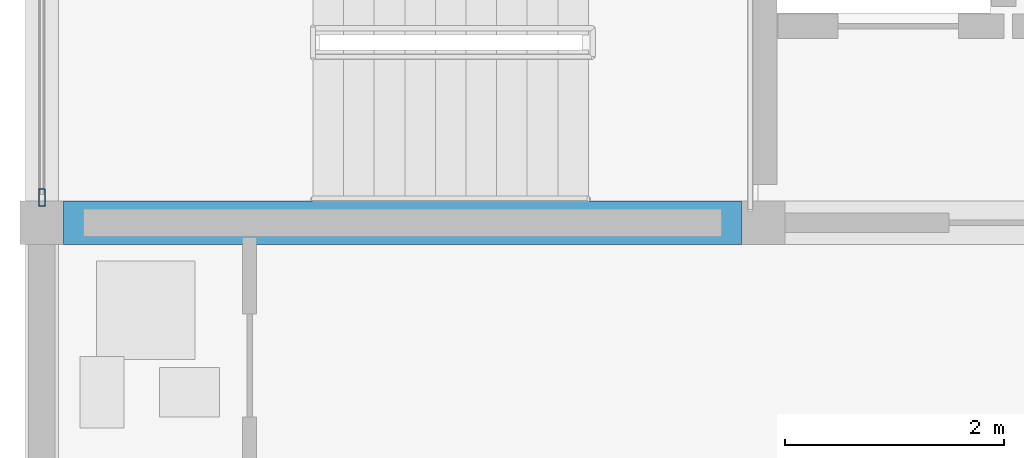
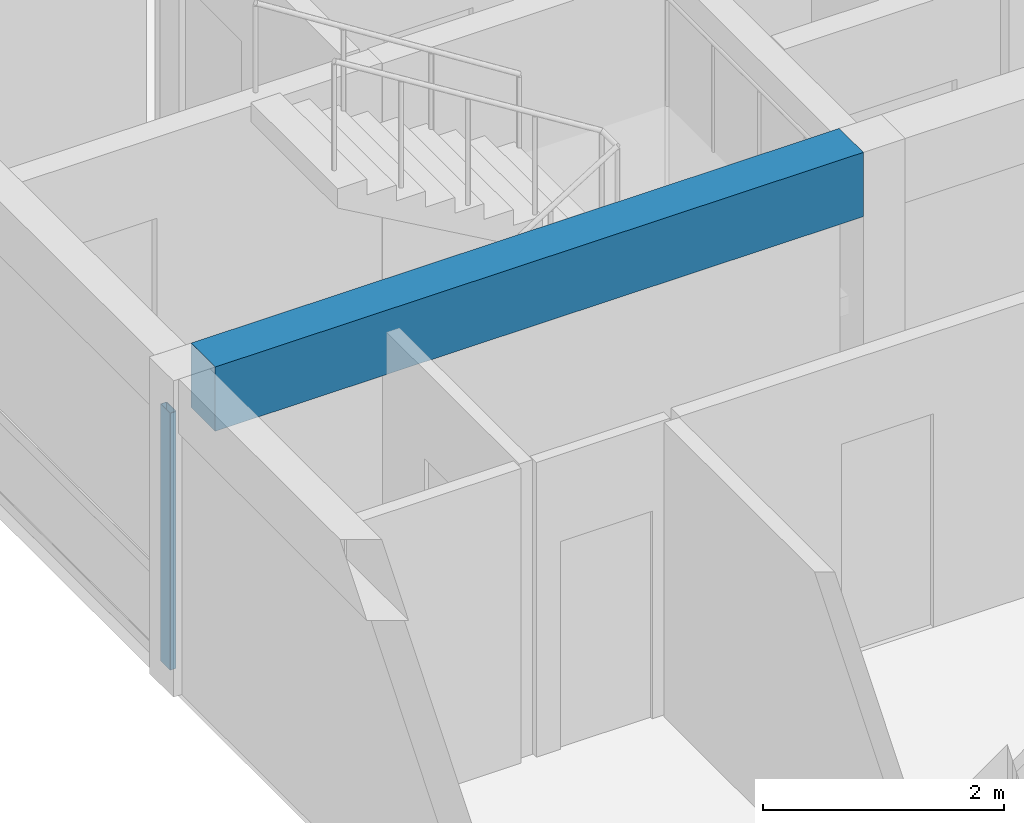
# One storey, part 2 of 15: 1 beam, 1 member, 1 element without a shape of its own.
"""IFC4 building model written with IfcOpenShell, lengths in metres."""

from ifc_helpers import new_model, si_unit, direction, frame, origin, origin_2d, place, context, subcontext, project, spatial, rectangle, hollow_rectangle, extrude, material, material_profile, profile_set, type_object, element, aggregate, save


model = new_model("IFC4")

# Units and contexts
model_context = context("Model", 3, precision=1e-05, world=origin(), true_north=direction((0.0, 1.0)))
body_context = subcontext(model_context, "Body", "Model", "MODEL_VIEW")
ifc_project = project(units=[si_unit("LENGTHUNIT", "METRE"), si_unit("AREAUNIT", "SQUARE_METRE"), si_unit("VOLUMEUNIT", "CUBIC_METRE"), si_unit("PLANEANGLEUNIT", "RADIAN"), si_unit("MASSUNIT", "GRAM", prefix="KILO")], contexts=[model_context])

# Site, building, storey
site_placement = place(None, origin())
site = spatial("IfcSite", under=ifc_project, at=site_placement, CompositionType="ELEMENT")
building_placement = place(site_placement, origin())
building = spatial("IfcBuilding", under=site, at=building_placement, Name="Kernevlak Ridge Housing Community", CompositionType="ELEMENT")
storey_placement = place(building_placement, frame((0.0, 0.0, 50.0)))
storey = spatial("IfcBuildingStorey", under=building, at=storey_placement, Name="L15", CompositionType="ELEMENT", Elevation=50.0)

# Beam
ifc_material_1 = material(Name="Concrete C35/45", Category="concrete")
ifc_material_profile_1 = material_profile(ifc_material_1, rectangle(XDim=0.39990234375, YDim=0.64990234375, at=origin_2d()), Name="RC 400x650")
ifc_profile_set_1 = profile_set([ifc_material_profile_1], Name="Concrete C35/45")
beam_type = type_object("IfcBeamType", Name="B-03", PredefinedType="T_BEAM", material=ifc_profile_set_1)
beam_placement = place(storey_placement, frame((15.800048828125, 82.60009765625, 2.875), z_axis=(1.0, 0.0, 0.0), x_axis=(0.0, 1.0, 0.0)))
element("IfcBeam", 1, at=beam_placement, inside=storey, type_object=beam_type, Name="Beam B-03 L15 452", PredefinedType="T_BEAM", context=body_context, shape_type="SweptSolid", body=[
    extrude(rectangle(XDim=0.39990234375, YDim=0.64990234375, at=origin_2d()), origin(), (0.0, 0.0, 1.0), 6.199951171875),
])

# Curtain wall, member
ifc_material_2 = material(Name="Aluminium EN AW-6060 anodised and laminated glass", Category="aluminium")
curtain_wall_type = type_object("IfcCurtainWallType", Name="CW-01", PredefinedType="NOTDEFINED", material=ifc_material_2)
curtain_wall_placement = place(storey_placement, origin())
curtain_wall = element("IfcCurtainWall", 2, at=curtain_wall_placement, inside=storey, type_object=curtain_wall_type, Name="Curtain wall CW-01 CW-L15-046", PredefinedType="NOTDEFINED")
ifc_material_3 = material(Name="Aluminium EN AW-6060 anodised", Category="aluminium")
ifc_material_profile_2 = material_profile(ifc_material_3, hollow_rectangle(XDim=0.06005859375, YDim=0.159912109375, WallThickness=0.00390625, InnerFilletRadius=0.001953125, OuterFilletRadius=0.00390625, at=origin_2d()), Name="ALU 60x160x4")
ifc_profile_set_2 = profile_set([ifc_material_profile_2], Name="Aluminium EN AW-6060 anodised")
member_type = type_object("IfcMemberType", Name="MU-02", PredefinedType="MULLION", material=ifc_profile_set_2)
member_placement = place(storey_placement, frame((15.60009765625, 82.830078125, 0.0), z_axis=(0.0, 0.0, 1.0), x_axis=(-1.0, 0.0, 0.0)))
member = element("IfcMember", 3, at=member_placement, type_object=member_type, Name="CW-01 mullion 1", PredefinedType="MULLION", context=body_context, shape_type="SweptSolid", body=[
    extrude(hollow_rectangle(XDim=0.06005859375, YDim=0.159912109375, WallThickness=0.00390625, InnerFilletRadius=0.001953125, OuterFilletRadius=0.00390625, at=origin_2d()), origin(), (0.0, 0.0, 1.0), 2.60009765625),
])
aggregate(curtain_wall, [member])

save(model, "model.ifc")
